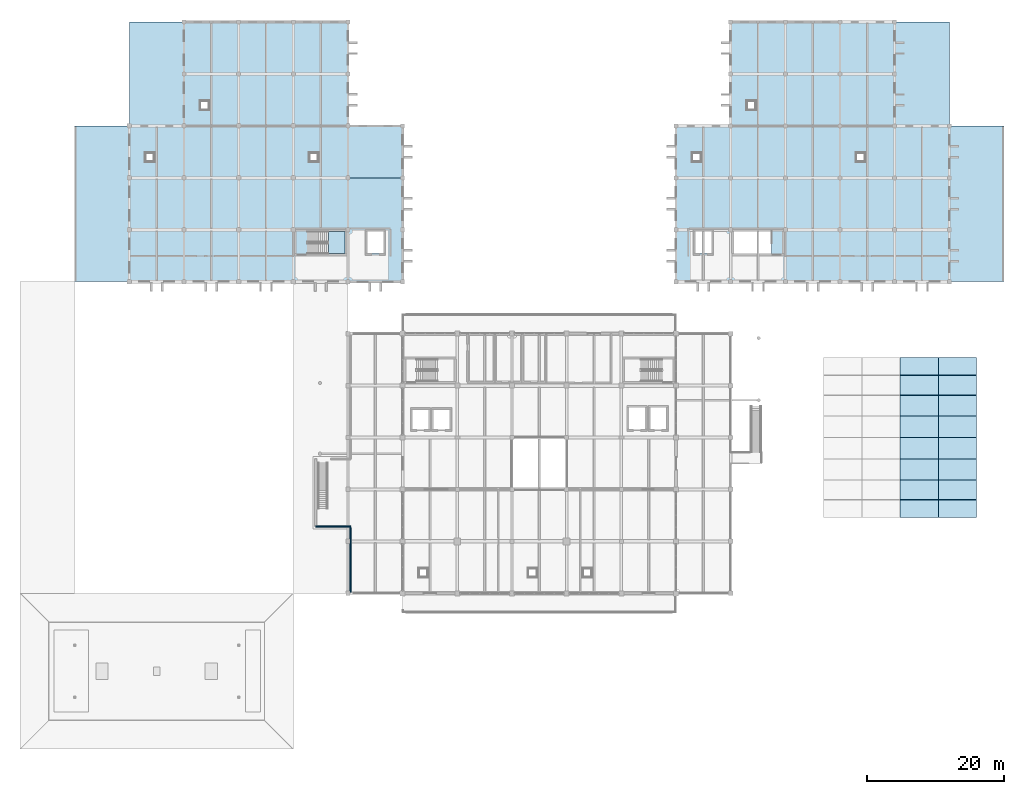
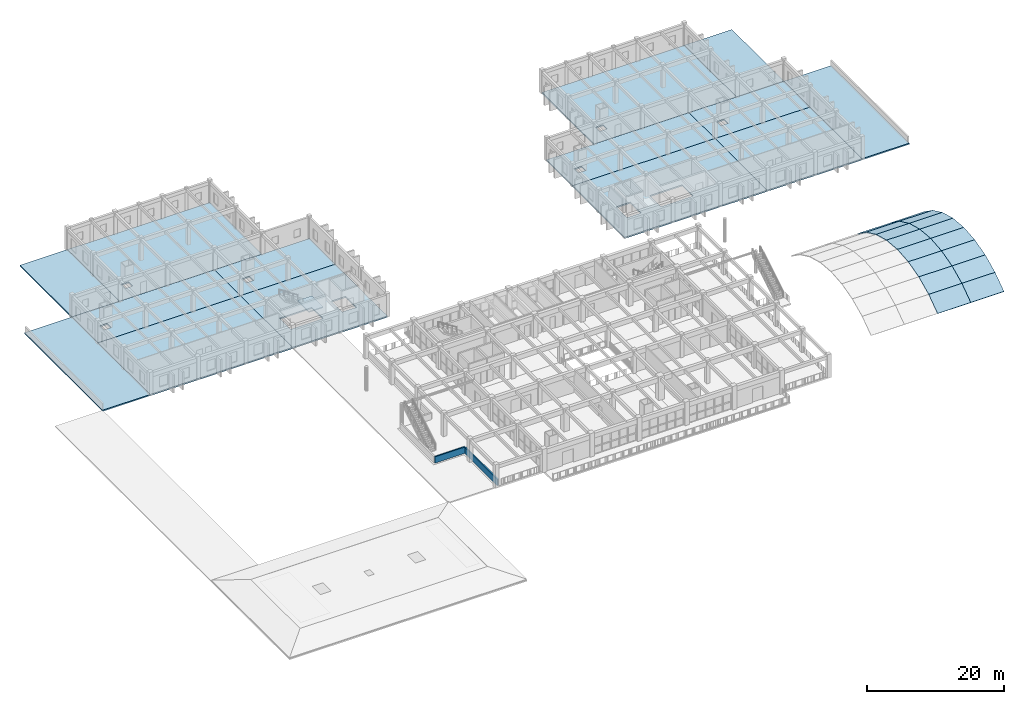
# One storey, part 35 of 63: 31 slabs, 2 walls, 2 elements without a shape of their own.
"""IFC4 building model written with IfcOpenShell, lengths in metres."""

from ifc_helpers import new_model, si_unit, direction, frame, frame_2d, origin, place, context, subcontext, project, spatial, polyline, rectangle, outline, extrude, material, layer, layer_set, type_object, element, aggregate, save


model = new_model("IFC4")

# Units and contexts
model_context = context("Model", 3, precision=1e-05, world=origin(), true_north=direction((0.0, 1.0)))
body_context = subcontext(model_context, "Body", "Model", "MODEL_VIEW")
ifc_project = project(units=[si_unit("LENGTHUNIT", "METRE"), si_unit("AREAUNIT", "SQUARE_METRE"), si_unit("VOLUMEUNIT", "CUBIC_METRE"), si_unit("PLANEANGLEUNIT", "RADIAN"), si_unit("MASSUNIT", "GRAM", prefix="KILO")], contexts=[model_context])

# Site, building, storey
site_placement = place(None, origin())
site = spatial("IfcSite", under=ifc_project, at=site_placement, CompositionType="ELEMENT")
building_placement = place(site_placement, origin())
building = spatial("IfcBuilding", under=site, at=building_placement, Name="Zantavel Square City Hall", CompositionType="ELEMENT")
storey_placement = place(building_placement, frame((0.0, 0.0, 14.699951171875)))
storey = spatial("IfcBuildingStorey", under=building, at=storey_placement, Name="L04", CompositionType="ELEMENT", Elevation=14.699951171875)

# Roof, slabs
ifc_material_1 = material(Name="Steel ASTM A992 Grade 50", Category="steel")
roof_type = type_object("IfcRoofType", Name="Courtyard Winter-Garden Barrel Skylight Roof", PredefinedType="BARREL_ROOF", material=ifc_material_1)
roof_placement = place(storey_placement, origin())
roof = element("IfcRoof", 1, at=roof_placement, inside=storey, type_object=roof_type, Name="East Citizen Courtyard Winter-Garden Skylight", PredefinedType="BARREL_ROOF")
ifc_material_2 = material(Name="Tempered safety glass low-E double glazing", Category="glass")
ifc_layer_1 = layer(ifc_material_2, 0.14990234375, Name="Tempered safety glass low-E double glazing")
ifc_layer_set_1 = layer_set([ifc_layer_1], Name="Tempered safety glass low-E double glazing")
slab_type_1 = type_object("IfcSlabType", Name="Barrel Vault Glazed Roof Facet 150mm", PredefinedType="ROOF", material=ifc_layer_set_1)
slab_1_placement = place(storey_placement, frame((136.800048828125, 41.4755859375, -4.119384765625), z_axis=(0.0, -0.579148154814, 0.815222310033), x_axis=(1.0, 0.0, 0.0)))
slab_1 = element("IfcSlab", 2, at=slab_1_placement, type_object=slab_type_1, Name="East Courtyard Skylight Facet B3-1", PredefinedType="ROOF", context=body_context, shape_type="SweptSolid", body=[
    extrude(outline(polyline([(0.0, 0.0), (5.599853515625, 0.0), (5.599853515625, 3.1852411980677644), (0.0, 3.1852411980677644), (0.0, 0.0)])), origin(), (0.0, 0.0, -1.0), 0.14990234375),
])
slab_2_placement = place(storey_placement, frame((136.800048828125, 44.072265625, -2.274658203125), z_axis=(0.0, -0.427114226835, 0.904197675973), x_axis=(1.0, 0.0, 0.0)))
slab_2 = element("IfcSlab", 3, at=slab_2_placement, type_object=slab_type_1, Name="East Courtyard Skylight Facet B3-2", PredefinedType="ROOF", context=body_context, shape_type="SweptSolid", body=[
    extrude(outline(polyline([(0.0, 0.0), (5.599853515625, 0.0), (5.599853515625, 3.18555463068408), (0.0, 3.18555463068408), (0.0, 0.0)])), origin(), (0.0, 0.0, -1.0), 0.14990234375),
])
slab_3_placement = place(storey_placement, frame((136.800048828125, 46.95263671875, -0.9140625), z_axis=(0.0, -0.261657947041, 0.965160669915), x_axis=(1.0, 0.0, 0.0)))
slab_3 = element("IfcSlab", 4, at=slab_3_placement, type_object=slab_type_1, Name="East Courtyard Skylight Facet B3-3", PredefinedType="ROOF", context=body_context, shape_type="SweptSolid", body=[
    extrude(outline(polyline([(0.0, 0.0), (5.599853515625, 0.0), (5.599853515625, 3.1854415399009826), (0.0, 3.1854415399009826), (0.0, 0.0)])), origin(), (0.0, 0.0, -1.0), 0.14990234375),
])
slab_4_placement = place(storey_placement, frame((136.800048828125, 50.027099609375, -0.08056640625), z_axis=(0.0, -0.088068289541, 0.996114439398), x_axis=(1.0, 0.0, 0.0)))
slab_4 = element("IfcSlab", 5, at=slab_4_placement, type_object=slab_type_1, Name="East Courtyard Skylight Facet B3-4", PredefinedType="ROOF", context=body_context, shape_type="SweptSolid", body=[
    extrude(outline(polyline([(0.0, 0.0), (5.599853515625, 0.0), (5.599853515625, 3.185227958764617), (0.0, 3.185227958764617), (0.0, 0.0)])), origin(), (0.0, 0.0, -1.0), 0.14990234375),
])
slab_5_placement = place(storey_placement, frame((136.800048828125, 53.199951171875, 0.199951171875), z_axis=(0.0, 0.088061566042, 0.996115033812), x_axis=(1.0, 0.0, 0.0)))
slab_5 = element("IfcSlab", 6, at=slab_5_placement, type_object=slab_type_1, Name="East Courtyard Skylight Facet B3-5", PredefinedType="ROOF", context=body_context, shape_type="SweptSolid", body=[
    extrude(outline(polyline([(0.0, 0.0), (5.599853515625, 0.0), (5.599853515625, 3.185471150838986), (0.0, 3.185471150838986), (0.0, 0.0)])), origin(), (0.0, 0.0, -1.0), 0.14990234375),
])
slab_6_placement = place(storey_placement, frame((136.800048828125, 56.373046875, -0.08056640625), z_axis=(0.0, 0.261657947041, 0.965160669915), x_axis=(1.0, 0.0, 0.0)))
slab_6 = element("IfcSlab", 7, at=slab_6_placement, type_object=slab_type_1, Name="East Courtyard Skylight Facet B3-6", PredefinedType="ROOF", context=body_context, shape_type="SweptSolid", body=[
    extrude(outline(polyline([(0.0, 0.0), (5.599853515625, 0.0), (5.599853515625, 3.1854415399009826), (0.0, 3.1854415399009826), (0.0, 0.0)])), origin(), (0.0, 0.0, -1.0), 0.14990234375),
])
slab_7_placement = place(storey_placement, frame((136.800048828125, 59.447509765625, -0.9140625), z_axis=(0.0, 0.427143826661, 0.904183693364), x_axis=(1.0, 0.0, 0.0)))
slab_7 = element("IfcSlab", 8, at=slab_7_placement, type_object=slab_type_1, Name="East Courtyard Skylight Facet B3-7", PredefinedType="ROOF", context=body_context, shape_type="SweptSolid", body=[
    extrude(outline(polyline([(0.0, 0.0), (5.599853515625, 0.0), (5.599853515625, 3.185333881005146), (0.0, 3.185333881005146), (0.0, 0.0)])), origin(), (0.0, 0.0, -1.0), 0.14990234375),
])
slab_8_placement = place(storey_placement, frame((136.800048828125, 62.32763671875, -2.274658203125), z_axis=(0.0, 0.579148154814, 0.815222310033), x_axis=(1.0, 0.0, 0.0)))
slab_8 = element("IfcSlab", 9, at=slab_8_placement, type_object=slab_type_1, Name="East Courtyard Skylight Facet B3-8", PredefinedType="ROOF", context=body_context, shape_type="SweptSolid", body=[
    extrude(outline(polyline([(0.0, 0.0), (5.599853515625, 0.0), (5.599853515625, 3.1852411980677644), (0.0, 3.1852411980677644), (0.0, 0.0)])), origin(), (0.0, 0.0, -1.0), 0.14990234375),
])
slab_9_placement = place(storey_placement, frame((142.39990234375, 41.4755859375, -4.119384765625), z_axis=(0.0, -0.579148154814, 0.815222310033), x_axis=(1.0, 0.0, 0.0)))
slab_9 = element("IfcSlab", 10, at=slab_9_placement, type_object=slab_type_1, Name="East Courtyard Skylight Facet B4-1", PredefinedType="ROOF", context=body_context, shape_type="SweptSolid", body=[
    extrude(outline(polyline([(0.0, 0.0), (5.60009765625, 0.0), (5.60009765625, 3.1852411980677635), (0.0, 3.1852411980677635), (0.0, 0.0)])), origin(), (0.0, 0.0, -1.0), 0.14990234375),
])
slab_10_placement = place(storey_placement, frame((142.39990234375, 44.072265625, -2.274658203125), z_axis=(0.0, -0.427114226835, 0.904197675973), x_axis=(1.0, 0.0, 0.0)))
slab_10 = element("IfcSlab", 11, at=slab_10_placement, type_object=slab_type_1, Name="East Courtyard Skylight Facet B4-2", PredefinedType="ROOF", context=body_context, shape_type="SweptSolid", body=[
    extrude(outline(polyline([(0.0, 0.0), (5.60009765625, 0.0), (5.60009765625, 3.18555463068408), (0.0, 3.18555463068408), (0.0, 0.0)])), origin(), (0.0, 0.0, -1.0), 0.14990234375),
])
slab_11_placement = place(storey_placement, frame((142.39990234375, 46.95263671875, -0.9140625), z_axis=(0.0, -0.261657947041, 0.965160669915), x_axis=(1.0, 0.0, 0.0)))
slab_11 = element("IfcSlab", 12, at=slab_11_placement, type_object=slab_type_1, Name="East Courtyard Skylight Facet B4-3", PredefinedType="ROOF", context=body_context, shape_type="SweptSolid", body=[
    extrude(outline(polyline([(0.0, 0.0), (5.60009765625, 0.0), (5.60009765625, 3.1854415399009826), (0.0, 3.1854415399009826), (0.0, 0.0)])), origin(), (0.0, 0.0, -1.0), 0.14990234375),
])
slab_12_placement = place(storey_placement, frame((142.39990234375, 50.027099609375, -0.08056640625), z_axis=(0.0, -0.088068289541, 0.996114439398), x_axis=(1.0, 0.0, 0.0)))
slab_12 = element("IfcSlab", 13, at=slab_12_placement, type_object=slab_type_1, Name="East Courtyard Skylight Facet B4-4", PredefinedType="ROOF", context=body_context, shape_type="SweptSolid", body=[
    extrude(outline(polyline([(0.0, 0.0), (5.60009765625, 0.0), (5.60009765625, 3.185227958764617), (0.0, 3.185227958764617), (0.0, 0.0)])), origin(), (0.0, 0.0, -1.0), 0.14990234375),
])
slab_13_placement = place(storey_placement, frame((142.39990234375, 53.199951171875, 0.199951171875), z_axis=(0.0, 0.088061566042, 0.996115033812), x_axis=(1.0, 0.0, 0.0)))
slab_13 = element("IfcSlab", 14, at=slab_13_placement, type_object=slab_type_1, Name="East Courtyard Skylight Facet B4-5", PredefinedType="ROOF", context=body_context, shape_type="SweptSolid", body=[
    extrude(outline(polyline([(0.0, 0.0), (5.60009765625, 0.0), (5.60009765625, 3.185471150838986), (0.0, 3.185471150838986), (0.0, 0.0)])), origin(), (0.0, 0.0, -1.0), 0.14990234375),
])
slab_14_placement = place(storey_placement, frame((142.39990234375, 56.373046875, -0.08056640625), z_axis=(0.0, 0.261657947041, 0.965160669915), x_axis=(1.0, 0.0, 0.0)))
slab_14 = element("IfcSlab", 15, at=slab_14_placement, type_object=slab_type_1, Name="East Courtyard Skylight Facet B4-6", PredefinedType="ROOF", context=body_context, shape_type="SweptSolid", body=[
    extrude(outline(polyline([(0.0, 0.0), (5.60009765625, 0.0), (5.60009765625, 3.1854415399009826), (0.0, 3.1854415399009826), (0.0, 0.0)])), origin(), (0.0, 0.0, -1.0), 0.14990234375),
])
slab_15_placement = place(storey_placement, frame((142.39990234375, 59.447509765625, -0.9140625), z_axis=(0.0, 0.427143826661, 0.904183693364), x_axis=(1.0, 0.0, 0.0)))
slab_15 = element("IfcSlab", 16, at=slab_15_placement, type_object=slab_type_1, Name="East Courtyard Skylight Facet B4-7", PredefinedType="ROOF", context=body_context, shape_type="SweptSolid", body=[
    extrude(outline(polyline([(0.0, 0.0), (5.60009765625, 0.0), (5.60009765625, 3.185333881005147), (0.0, 3.185333881005147), (0.0, 0.0)])), origin(), (0.0, 0.0, -1.0), 0.14990234375),
])
slab_16_placement = place(storey_placement, frame((142.39990234375, 62.32763671875, -2.274658203125), z_axis=(0.0, 0.579148154814, 0.815222310033), x_axis=(1.0, 0.0, 0.0)))
slab_16 = element("IfcSlab", 17, at=slab_16_placement, type_object=slab_type_1, Name="East Courtyard Skylight Facet B4-8", PredefinedType="ROOF", context=body_context, shape_type="SweptSolid", body=[
    extrude(outline(polyline([(0.0, 0.0), (5.60009765625, 0.0), (5.60009765625, 3.1852411980677635), (0.0, 3.1852411980677635), (0.0, 0.0)])), origin(), (0.0, 0.0, -1.0), 0.14990234375),
])
aggregate(roof, [slab_1, slab_2, slab_3, slab_4, slab_5, slab_6, slab_7, slab_8, slab_9, slab_10, slab_11, slab_12, slab_13, slab_14, slab_15, slab_16])

# Stair, slab
ifc_material_3 = material(Name="Concrete C35/45", Category="concrete")
stair_type = type_object("IfcStairType", Name="Enclosed Core Dogleg Stair L04 H4200", PredefinedType="HALF_TURN_STAIR", material=ifc_material_3)
stair_placement = place(storey_placement, origin())
stair = element("IfcStair", 18, at=stair_placement, inside=storey, type_object=stair_type, Name="L04 Exit Stair 1 North-West Core", PredefinedType="HALF_TURN_STAIR")
ifc_layer_2 = layer(ifc_material_3, 0.2099609375, Name="Concrete C35/45")
ifc_layer_set_2 = layer_set([ifc_layer_2], Name="Concrete C35/45")
slab_type_2 = type_object("IfcSlabType", Name="Core Stair Half-Landing Slab C35/45", PredefinedType="LANDING", material=ifc_layer_set_2)
slab_17_placement = place(storey_placement, frame((0.0, 0.0, 1.900146484375)))
slab_17 = element("IfcSlab", 19, at=slab_17_placement, type_object=slab_type_2, Name="ST1 landing 1", PredefinedType="LANDING", context=body_context, shape_type="SweptSolid", body=[
    extrude(outline(polyline([(53.110107421875, 80.10009765625), (55.530029296875, 80.10009765625), (55.530029296875, 83.3701171875), (53.110107421875, 83.3701171875), (53.110107421875, 80.10009765625)])), origin(), (0.0, 0.0, 1.0), 0.199951171875),
])
aggregate(stair, [slab_17])

# Slabs
ifc_layer_3 = layer(ifc_material_3, 0.219970703125, Name="Concrete C35/45")
ifc_layer_set_3 = layer_set([ifc_layer_3], Name="Concrete C35/45")
slab_type_3 = type_object("IfcSlabType", Name="Insulated Flat Roof Slab 220mm C35/45", PredefinedType="ROOF", material=ifc_layer_set_3)
slab_18_placement = place(storey_placement, frame((0.0, 0.0, -0.219970703125)))
element("IfcSlab", 20, at=slab_18_placement, inside=storey, type_object=slab_type_3, Name="L04 Step-Back Roof Slab SLB-L04-V4-STEP1", PredefinedType="ROOF", context=body_context, shape_type="SweptSolid", body=[
    extrude(outline(polyline([(152.0, 98.800048828125), (152.0, 76.0), (144.0, 76.0), (144.0, 91.199951171875), (144.0, 98.800048828125), (152.0, 98.800048828125)])), origin(), (0.0, 0.0, 1.0), 0.219970703125),
])
slab_19_placement = place(storey_placement, frame((0.0, 0.0, -0.219970703125)))
element("IfcSlab", 21, at=slab_19_placement, inside=storey, type_object=slab_type_3, Name="L04 Step-Back Roof Slab SLB-L04-V4-STEP2", PredefinedType="ROOF", context=body_context, shape_type="SweptSolid", body=[
    extrude(outline(polyline([(144.0, 114.0), (144.0, 98.800048828125), (136.0, 98.800048828125), (136.0, 114.0), (144.0, 114.0)])), origin(), (0.0, 0.0, 1.0), 0.219970703125),
])
slab_20_placement = place(storey_placement, frame((0.0, 0.0, -0.219970703125)))
element("IfcSlab", 22, at=slab_20_placement, inside=storey, type_object=slab_type_3, Name="L04 Step-Back Roof Slab SLB-L04-V5-STEP1", PredefinedType="ROOF", context=body_context, shape_type="SweptSolid", body=[
    extrude(outline(polyline([(24.0, 76.0), (16.0, 76.0), (16.0, 98.800048828125), (24.0, 98.800048828125), (24.0, 91.199951171875), (24.0, 76.0)])), origin(), (0.0, 0.0, 1.0), 0.219970703125),
])
slab_21_placement = place(storey_placement, frame((0.0, 0.0, -0.219970703125)))
element("IfcSlab", 23, at=slab_21_placement, inside=storey, type_object=slab_type_3, Name="L04 Step-Back Roof Slab SLB-L04-V5-STEP2", PredefinedType="ROOF", context=body_context, shape_type="SweptSolid", body=[
    extrude(outline(polyline([(32.0, 98.800048828125), (24.0, 98.800048828125), (24.0, 114.0), (32.0, 114.0), (32.0, 98.800048828125)])), origin(), (0.0, 0.0, 1.0), 0.219970703125),
])
ifc_layer_4 = layer(ifc_material_3, 0.239990234375, Name="Concrete C35/45")
ifc_layer_set_4 = layer_set([ifc_layer_4], Name="Concrete C35/45")
slab_type_4 = type_object("IfcSlabType", Name="Standard Office Floor Slab 240mm C35/45", PredefinedType="FLOOR", material=ifc_layer_set_4)
slab_22_placement = place(storey_placement, frame((0.0, 0.0, -0.239990234375)))
element("IfcSlab", 24, at=slab_22_placement, inside=storey, type_object=slab_type_4, Name="L04 Floor Slab SLB-L04-V4M-01", PredefinedType="FLOOR", context=body_context, shape_type="SweptSolid", body=[
    extrude(outline(polyline([(128.0, 91.199951171875), (128.0, 76.0), (104.0, 76.0), (104.0, 91.199951171875), (128.0, 91.199951171875)]), holes=[polyline([(112.469970703125, 83.3701171875), (112.469970703125, 80.10009765625), (117.949951171875, 80.10009765625), (117.949951171875, 83.3701171875), (112.469970703125, 83.3701171875)]), polyline([(109.199951171875, 83.35009765625), (106.800048828125, 83.35009765625), (106.800048828125, 80.14990234375), (109.199951171875, 80.14990234375), (109.199951171875, 83.35009765625)])]), origin(), (0.0, 0.0, 1.0), 0.239990234375),
])
slab_23_placement = place(storey_placement, frame((0.0, 0.0, -0.239990234375)))
element("IfcSlab", 25, at=slab_23_placement, inside=storey, type_object=slab_type_4, Name="L04 Floor Slab SLB-L04-V4M-02", PredefinedType="FLOOR", context=body_context, shape_type="SweptSolid", body=[
    extrude(outline(polyline([(144.0, 91.199951171875), (144.0, 76.0), (128.0, 76.0), (128.0, 91.199951171875), (144.0, 91.199951171875)])), origin(), (0.0, 0.0, 1.0), 0.239990234375),
])
slab_24_placement = place(storey_placement, frame((0.0, 0.0, -0.239990234375)))
element("IfcSlab", 26, at=slab_24_placement, inside=storey, type_object=slab_type_4, Name="L04 Floor Slab SLB-L04-V4M-03", PredefinedType="FLOOR", context=body_context, shape_type="SweptSolid", body=[
    extrude(outline(polyline([(128.0, 98.800048828125), (128.0, 91.199951171875), (104.0, 91.199951171875), (104.0, 98.800048828125), (128.0, 98.800048828125)]), holes=[polyline([(107.60009765625, 94.800048828125), (106.39990234375, 94.800048828125), (106.39990234375, 93.60009765625), (107.60009765625, 93.60009765625), (107.60009765625, 94.800048828125)])]), origin(), (0.0, 0.0, 1.0), 0.239990234375),
])
slab_25_placement = place(storey_placement, frame((0.0, 0.0, -0.239990234375)))
element("IfcSlab", 27, at=slab_25_placement, inside=storey, type_object=slab_type_4, Name="L04 Floor Slab SLB-L04-V4M-04", PredefinedType="FLOOR", context=body_context, shape_type="SweptSolid", body=[
    extrude(outline(polyline([(144.0, 91.199951171875), (128.0, 91.199951171875), (128.0, 98.800048828125), (144.0, 98.800048828125), (144.0, 91.199951171875)]), holes=[polyline([(131.60009765625, 94.800048828125), (130.39990234375, 94.800048828125), (130.39990234375, 93.60009765625), (131.60009765625, 93.60009765625), (131.60009765625, 94.800048828125)])]), origin(), (0.0, 0.0, 1.0), 0.239990234375),
])
slab_26_placement = place(storey_placement, frame((0.0, 0.0, -0.239990234375)))
element("IfcSlab", 28, at=slab_26_placement, inside=storey, type_object=slab_type_4, Name="L04 Floor Slab SLB-L04-V4N-01", PredefinedType="FLOOR", context=body_context, shape_type="SweptSolid", body=[
    extrude(outline(polyline([(136.0, 114.0), (136.0, 98.800048828125), (128.0, 98.800048828125), (112.0, 98.800048828125), (112.0, 114.0), (136.0, 114.0)]), holes=[polyline([(115.60009765625, 102.39990234375), (114.39990234375, 102.39990234375), (114.39990234375, 101.199951171875), (115.60009765625, 101.199951171875), (115.60009765625, 102.39990234375)])]), origin(), (0.0, 0.0, 1.0), 0.239990234375),
])
slab_27_placement = place(storey_placement, frame((0.0, 0.0, -0.239990234375)))
element("IfcSlab", 29, at=slab_27_placement, inside=storey, type_object=slab_type_4, Name="L04 Floor Slab SLB-L04-V5M-01", PredefinedType="FLOOR", context=body_context, shape_type="SweptSolid", body=[
    extrude(outline(polyline([(24.0, 76.0), (24.0, 91.199951171875), (48.0, 91.199951171875), (48.0, 76.0), (24.0, 76.0)])), origin(), (0.0, 0.0, 1.0), 0.239990234375),
])
slab_28_placement = place(storey_placement, frame((0.0, 0.0, -0.239990234375)))
element("IfcSlab", 30, at=slab_28_placement, inside=storey, type_object=slab_type_4, Name="L04 Floor Slab SLB-L04-V5M-02", PredefinedType="FLOOR", context=body_context, shape_type="SweptSolid", body=[
    extrude(outline(polyline([(48.0, 76.0), (48.0, 91.199951171875), (64.0, 91.199951171875), (64.0, 76.0), (48.0, 76.0)]), holes=[polyline([(50.050048828125, 83.3701171875), (50.050048828125, 80.10009765625), (55.530029296875, 80.10009765625), (55.530029296875, 83.3701171875), (50.050048828125, 83.3701171875)]), polyline([(61.199951171875, 83.35009765625), (58.800048828125, 83.35009765625), (58.800048828125, 80.14990234375), (61.199951171875, 80.14990234375), (61.199951171875, 83.35009765625)])]), origin(), (0.0, 0.0, 1.0), 0.239990234375),
])
slab_29_placement = place(storey_placement, frame((0.0, 0.0, -0.239990234375)))
element("IfcSlab", 31, at=slab_29_placement, inside=storey, type_object=slab_type_4, Name="L04 Floor Slab SLB-L04-V5M-03", PredefinedType="FLOOR", context=body_context, shape_type="SweptSolid", body=[
    extrude(outline(polyline([(48.0, 98.800048828125), (48.0, 91.199951171875), (24.0, 91.199951171875), (24.0, 98.800048828125), (48.0, 98.800048828125)]), holes=[polyline([(27.60009765625, 94.800048828125), (26.39990234375, 94.800048828125), (26.39990234375, 93.60009765625), (27.60009765625, 93.60009765625), (27.60009765625, 94.800048828125)])]), origin(), (0.0, 0.0, 1.0), 0.239990234375),
])
slab_30_placement = place(storey_placement, frame((0.0, 0.0, -0.239990234375)))
element("IfcSlab", 32, at=slab_30_placement, inside=storey, type_object=slab_type_4, Name="L04 Floor Slab SLB-L04-V5M-04", PredefinedType="FLOOR", context=body_context, shape_type="SweptSolid", body=[
    extrude(outline(polyline([(64.0, 91.199951171875), (48.0, 91.199951171875), (48.0, 98.800048828125), (64.0, 98.800048828125), (64.0, 91.199951171875)]), holes=[polyline([(51.60009765625, 94.800048828125), (50.39990234375, 94.800048828125), (50.39990234375, 93.60009765625), (51.60009765625, 93.60009765625), (51.60009765625, 94.800048828125)])]), origin(), (0.0, 0.0, 1.0), 0.239990234375),
])
slab_31_placement = place(storey_placement, frame((0.0, 0.0, -0.239990234375)))
element("IfcSlab", 33, at=slab_31_placement, inside=storey, type_object=slab_type_4, Name="L04 Floor Slab SLB-L04-V5N-01", PredefinedType="FLOOR", context=body_context, shape_type="SweptSolid", body=[
    extrude(outline(polyline([(56.0, 114.0), (56.0, 98.800048828125), (48.0, 98.800048828125), (32.0, 98.800048828125), (32.0, 114.0), (56.0, 114.0)]), holes=[polyline([(35.60009765625, 102.39990234375), (34.39990234375, 102.39990234375), (34.39990234375, 101.199951171875), (35.60009765625, 101.199951171875), (35.60009765625, 102.39990234375)])]), origin(), (0.0, 0.0, 1.0), 0.239990234375),
])

# Walls
ifc_material_4 = material(Name="Cantera volcanic tuff stone", Category="masonry")
ifc_layer_5 = layer(ifc_material_4, 0.239990234375, Name="Cantera volcanic tuff stone")
ifc_layer_set_5 = layer_set([ifc_layer_5], Name="Cantera volcanic tuff stone")
wall_type = type_object("IfcWallType", Name="Cantera Wing Roof Parapet 240mm", PredefinedType="PARAPET", material=ifc_layer_set_5)
wall_1_placement = place(storey_placement, frame((56.3798828125, 30.52001953125, 0.0), z_axis=(0.0, 0.0, 1.0), x_axis=(0.0, 1.0, 0.0)))
element("IfcWall", 34, at=wall_1_placement, inside=storey, type_object=wall_type, Name="L04 Roof Parapet Wall 09", PredefinedType="PARAPET", context=body_context, shape_type="SweptSolid", body=[
    extrude(rectangle(XDim=9.47998046875, YDim=0.239990234375, at=frame_2d((4.739990234375, 0.0))), origin(), (0.0, 0.0, 1.0), 1.1201171875),
])
wall_2_placement = place(storey_placement, frame((51.280029296875, 40.179931640625, 0.0), z_axis=(0.0, 0.0, 1.0), x_axis=(1.0, 0.0, 0.0)))
element("IfcWall", 35, at=wall_2_placement, inside=storey, type_object=wall_type, Name="L04 Roof Parapet Wall 10", PredefinedType="PARAPET", context=body_context, shape_type="SweptSolid", body=[
    extrude(rectangle(XDim=5.099853515625, YDim=0.239990234375, at=frame_2d((2.5498046875, 0.0))), origin(), (0.0, 0.0, 1.0), 1.1201171875),
])

save(model, "model.ifc")
